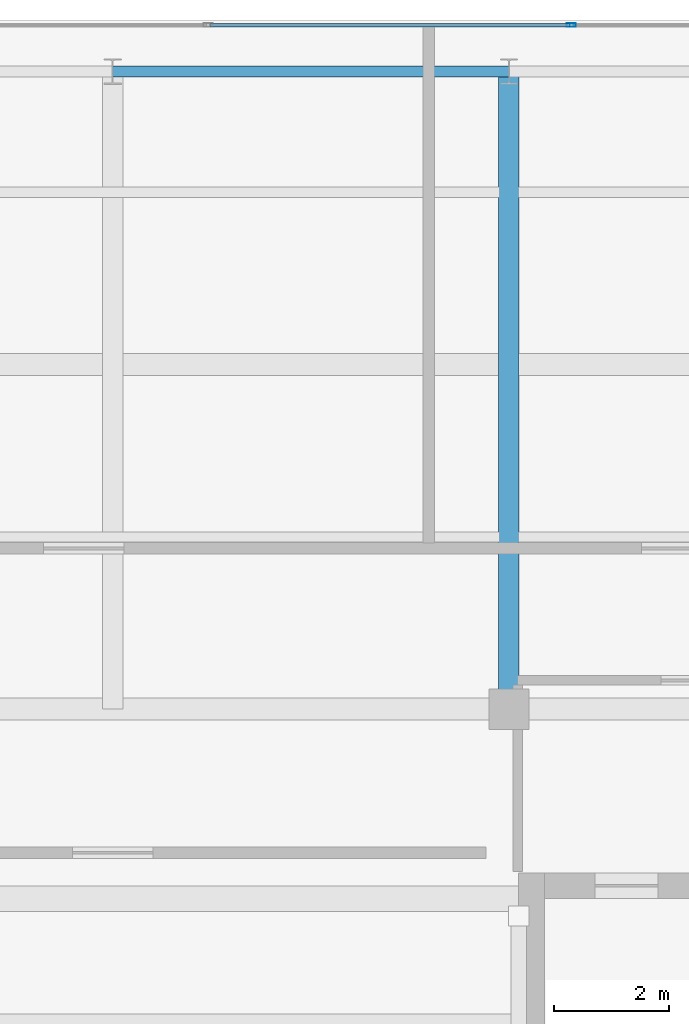
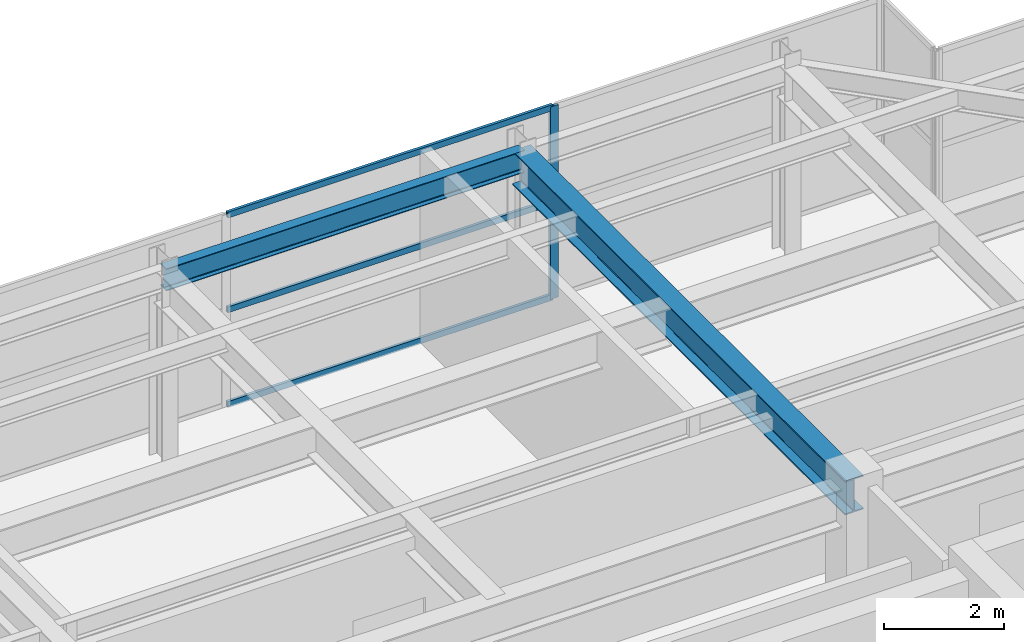
# One storey, part 26 of 32: 4 members, 2 beams, 1 element without a shape of its own.
"""IFC4 building model written with IfcOpenShell, lengths in metres."""

from ifc_helpers import new_model, si_unit, direction, frame, origin, origin_2d, place, context, subcontext, project, spatial, hollow_rectangle, i_section, extrude, source, transform, mapped, material, layer, layer_set, material_profile, profile_set, type_object, element, aggregate, save


model = new_model("IFC4")

# Units and contexts
model_context = context("Model", 3, precision=1e-05, world=origin(), true_north=direction((0.0, 1.0)))
body_context = subcontext(model_context, "Body", "Model", "MODEL_VIEW")
ifc_project = project(units=[si_unit("LENGTHUNIT", "METRE"), si_unit("AREAUNIT", "SQUARE_METRE"), si_unit("VOLUMEUNIT", "CUBIC_METRE"), si_unit("PLANEANGLEUNIT", "RADIAN"), si_unit("MASSUNIT", "GRAM", prefix="KILO")], contexts=[model_context])

# Site, building, storey
site_placement = place(None, origin())
site = spatial("IfcSite", under=ifc_project, at=site_placement, CompositionType="ELEMENT")
building_placement = place(site_placement, origin())
building = spatial("IfcBuilding", under=site, at=building_placement, Name="Khoralis Quay Care Tower", CompositionType="ELEMENT")
storey_placement = place(building_placement, frame((0.0, 0.0, 306.300048828125)))
storey = spatial("IfcBuildingStorey", under=building, at=storey_placement, Name="L80", CompositionType="ELEMENT", Elevation=306.300048828125)

# Beams
ifc_material_1 = material(Name="Steel S355", Category="steel")
ifc_material_profile_1 = material_profile(ifc_material_1, i_section(OverallWidth=0.18994140625, OverallDepth=0.449951171875, WebThickness=0.009521484375, FlangeThickness=0.0146484375, FilletRadius=0.02099609375, at=origin_2d()), Name="Steel S355")
ifc_profile_set_1 = profile_set([ifc_material_profile_1], Name="Steel S355")
beam_type_1 = type_object("IfcBeamType", Name="BM-IPE450", PredefinedType="SPANDREL", material=ifc_profile_set_1)
shared_shape_1 = source(origin(), body_context, "Body", "SweptSolid", [
    extrude(i_section(OverallWidth=0.18994140625, OverallDepth=0.449951171875, WebThickness=0.009521484375, FlangeThickness=0.0146484375, FilletRadius=0.02099609375, at=origin_2d()), origin(), (0.0, 0.0, 1.0), 6.89990234375),
])
beam_1_placement = place(storey_placement, frame((24.0, 41.10009765625, 3.695068359375), z_axis=(1.0, 0.0, 0.0), x_axis=(0.0, 1.0, 0.0)))
element("IfcBeam", 1, at=beam_1_placement, inside=storey, type_object=beam_type_1, Name="BM-TSP-L80-07", PredefinedType="SPANDREL", context=body_context, shape_type="MappedRepresentation", body=[
    mapped(shared_shape_1, transform((0.0, 0.0, 0.0), scale=1.0)),
])
ifc_material_profile_2 = material_profile(ifc_material_1, i_section(OverallWidth=0.35498046875, OverallDepth=0.695068359375, WebThickness=0.015380859375, FlangeThickness=0.02490234375, FilletRadius=0.02001953125, at=origin_2d()), Name="Steel S355")
ifc_profile_set_2 = profile_set([ifc_material_profile_2], Name="Steel S355")
beam_type_2 = type_object("IfcBeamType", Name="BM-W690X217", PredefinedType="BEAM", material=ifc_profile_set_2)
shared_shape_2 = source(origin(), body_context, "Body", "SweptSolid", [
    extrude(i_section(OverallWidth=0.35498046875, OverallDepth=0.695068359375, WebThickness=0.015380859375, FlangeThickness=0.02490234375, FilletRadius=0.02001953125, at=origin_2d()), origin(), (0.0, 0.0, 1.0), 11.10009765625),
])
beam_2_placement = place(storey_placement, frame((30.89990234375, 30.0, 3.572509765625), z_axis=(0.0, 1.0, 0.0), x_axis=(-1.0, 0.0, 0.0)))
element("IfcBeam", 2, at=beam_2_placement, inside=storey, type_object=beam_type_2, Name="BM-TGYN-L80-309", PredefinedType="BEAM", context=body_context, shape_type="MappedRepresentation", body=[
    mapped(shared_shape_2, transform((0.0, 0.0, 0.0), scale=1.0)),
])

# Curtain wall, members
ifc_material_2 = material(Name="Pale anodised aluminium", Category="aluminium")
ifc_layer = layer(ifc_material_2, 0.199951171875)
ifc_layer_set = layer_set([ifc_layer], Name="Pale anodised aluminium")
curtain_wall_type = type_object("IfcCurtainWallType", Name="CW-SYS-LANTERN", PredefinedType="NOTDEFINED", material=ifc_layer_set)
curtain_wall_placement = place(storey_placement, origin())
curtain_wall = element("IfcCurtainWall", 3, at=curtain_wall_placement, inside=storey, type_object=curtain_wall_type, Name="L80 Unitised Curtain Wall CW-LN-L80-11", PredefinedType="NOTDEFINED")
ifc_material_profile_3 = material_profile(ifc_material_2, hollow_rectangle(XDim=0.054931640625, YDim=0.1201171875, WallThickness=0.00390625, at=origin_2d()), Name="Pale anodised aluminium")
ifc_profile_set_3 = profile_set([ifc_material_profile_3], Name="Pale anodised aluminium")
member_type_1 = type_object("IfcMemberType", Name="CW-TRN-120", PredefinedType="USERDEFINED", material=ifc_profile_set_3)
shared_shape_3 = source(origin(), body_context, "Body", "SweptSolid", [
    extrude(hollow_rectangle(XDim=0.054931640625, YDim=0.1201171875, WallThickness=0.00390625, at=origin_2d()), origin(), (0.0, 0.0, 1.0), 6.26416015625),
])
member_1_placement = place(storey_placement, frame((31.9560546875, 41.909912109375, 0.030029296875), z_axis=(-1.0, 0.0, 0.0), x_axis=(0.0, -1.0, 0.0)))
member_1 = element("IfcMember", 4, at=member_1_placement, type_object=member_type_1, Name="CW5 transom 2.1", ObjectType="TRANSOM", PredefinedType="USERDEFINED", context=body_context, shape_type="MappedRepresentation", body=[
    mapped(shared_shape_3, transform((0.0, 0.0, 0.0), scale=1.0)),
])
member_2_placement = place(storey_placement, frame((31.9560546875, 41.909912109375, 1.9599609375), z_axis=(-1.0, 0.0, 0.0), x_axis=(0.0, -1.0, 0.0)))
member_2 = element("IfcMember", 5, at=member_2_placement, type_object=member_type_1, Name="CW5 transom 2.2", ObjectType="TRANSOM", PredefinedType="USERDEFINED", context=body_context, shape_type="MappedRepresentation", body=[
    mapped(shared_shape_3, transform((0.0, 0.0, 0.0), scale=1.0)),
])
member_3_placement = place(storey_placement, frame((31.9560546875, 41.909912109375, 3.889892578125), z_axis=(-1.0, 0.0, 0.0), x_axis=(0.0, -1.0, 0.0)))
member_3 = element("IfcMember", 6, at=member_3_placement, type_object=member_type_1, Name="CW5 transom 2.3", ObjectType="TRANSOM", PredefinedType="USERDEFINED", context=body_context, shape_type="MappedRepresentation", body=[
    mapped(shared_shape_3, transform((0.0, 0.0, 0.0), scale=1.0)),
])
ifc_material_profile_4 = material_profile(ifc_material_2, hollow_rectangle(XDim=0.06005859375, YDim=0.159912109375, WallThickness=0.00390625, at=origin_2d()), Name="Pale anodised aluminium")
ifc_profile_set_4 = profile_set([ifc_material_profile_4], Name="Pale anodised aluminium")
member_type_2 = type_object("IfcMemberType", Name="CW-MUL-160", PredefinedType="MULLION", material=ifc_profile_set_4)
shared_shape_4 = source(origin(), body_context, "Body", "SweptSolid", [
    extrude(hollow_rectangle(XDim=0.06005859375, YDim=0.159912109375, WallThickness=0.00390625, at=origin_2d()), origin(), (0.0, 0.0, 1.0), 3.919921875),
])
member_4_placement = place(storey_placement, frame((31.986083984375, 41.909912109375, 0.0), z_axis=(0.0, 0.0, 1.0), x_axis=(0.0, -1.0, 0.0)))
member_4 = element("IfcMember", 7, at=member_4_placement, type_object=member_type_2, Name="CW5 mullion 2", PredefinedType="MULLION", context=body_context, shape_type="MappedRepresentation", body=[
    mapped(shared_shape_4, transform((0.0, 0.0, 0.0), scale=1.0)),
])
aggregate(curtain_wall, [member_4, member_1, member_2, member_3])

save(model, "model.ifc")
